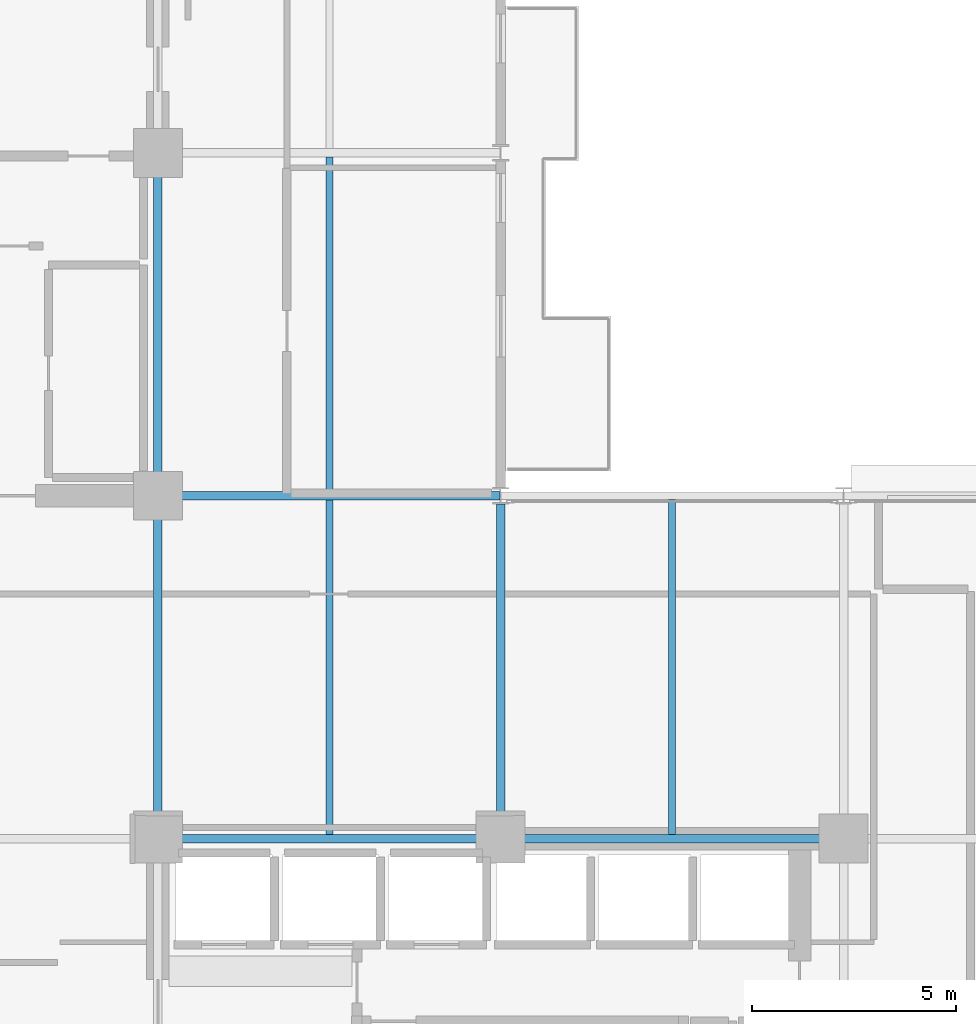
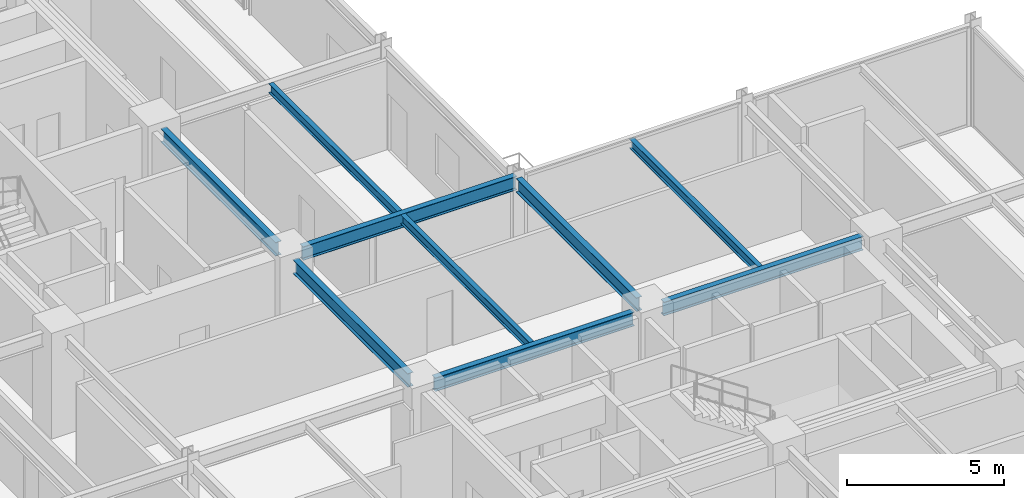
# One storey, part 11 of 30: 9 beams.
"""IFC4 building model written with IfcOpenShell, lengths in metres."""

from ifc_helpers import new_model, si_unit, direction, frame, origin, origin_2d, place, context, subcontext, project, spatial, i_section, extrude, material, material_profile, profile_set, type_object, element, save


model = new_model("IFC4")

# Units and contexts
model_context = context("Model", 3, precision=1e-05, world=origin(), true_north=direction((0.0, 1.0)))
body_context = subcontext(model_context, "Body", "Model", "MODEL_VIEW")
ifc_project = project(units=[si_unit("LENGTHUNIT", "METRE"), si_unit("AREAUNIT", "SQUARE_METRE"), si_unit("VOLUMEUNIT", "CUBIC_METRE"), si_unit("PLANEANGLEUNIT", "RADIAN"), si_unit("MASSUNIT", "GRAM", prefix="KILO")], contexts=[model_context])

# Site, building, storey
site_placement = place(None, origin())
site = spatial("IfcSite", under=ifc_project, at=site_placement, CompositionType="ELEMENT")
building_placement = place(site_placement, origin())
building = spatial("IfcBuilding", under=site, at=building_placement, Name="Nerrivon Quay Data Exchange", CompositionType="ELEMENT")
storey_placement = place(building_placement, frame((0.0, 0.0, 129.5)))
storey = spatial("IfcBuildingStorey", under=building, at=storey_placement, Name="L30", CompositionType="ELEMENT", Elevation=129.5)

# Beams
ifc_material = material(Name="Steel Grade 350", Category="steel")
ifc_material_profile_1 = material_profile(ifc_material, i_section(OverallWidth=0.208984375, OverallDepth=0.532958984375, WebThickness=0.01025390625, FlangeThickness=0.015625, FilletRadius=0.013916015625, at=origin_2d()), Name="530UB92.4")
ifc_profile_set_1 = profile_set([ifc_material_profile_1], Name="Steel Grade 350")
beam_type_1 = type_object("IfcBeamType", Name="BM-G3-530UB92", PredefinedType="BEAM", material=ifc_profile_set_1)
beam_1_placement = place(storey_placement, frame((17.340087890625, 16.800048828125, 3.55859375), z_axis=(1.0, 0.0, 0.0), x_axis=(0.0, 1.0, 0.0)))
element("IfcBeam", 1, at=beam_1_placement, inside=storey, type_object=beam_type_1, Name="L30 EW Girder Y=16.8 (16.8..25.2)", PredefinedType="BEAM", context=body_context, shape_type="SweptSolid", body=[
    extrude(i_section(OverallWidth=0.208984375, OverallDepth=0.532958984375, WebThickness=0.01025390625, FlangeThickness=0.015625, FilletRadius=0.013916015625, at=origin_2d()), origin(), (0.0, 0.0, 1.0), 7.31982421875),
])
beam_2_placement = place(storey_placement, frame((25.739990234375, 16.800048828125, 3.55859375), z_axis=(1.0, 0.0, 0.0), x_axis=(0.0, 1.0, 0.0)))
element("IfcBeam", 2, at=beam_2_placement, inside=storey, type_object=beam_type_1, Name="L30 EW Girder Y=16.8 (25.2..33.6)", PredefinedType="BEAM", context=body_context, shape_type="SweptSolid", body=[
    extrude(i_section(OverallWidth=0.208984375, OverallDepth=0.532958984375, WebThickness=0.01025390625, FlangeThickness=0.015625, FilletRadius=0.013916015625, at=origin_2d()), origin(), (0.0, 0.0, 1.0), 7.320068359375),
])
beam_3_placement = place(storey_placement, frame((17.340087890625, 25.199951171875, 3.55859375), z_axis=(1.0, 0.0, 0.0), x_axis=(0.0, 1.0, 0.0)))
element("IfcBeam", 3, at=beam_3_placement, inside=storey, type_object=beam_type_1, Name="L30 EW Girder Y=25.2 (16.8..25.2)", PredefinedType="BEAM", context=body_context, shape_type="SweptSolid", body=[
    extrude(i_section(OverallWidth=0.208984375, OverallDepth=0.532958984375, WebThickness=0.01025390625, FlangeThickness=0.015625, FilletRadius=0.013916015625, at=origin_2d()), origin(), (0.0, 0.0, 1.0), 7.847412109375),
])
ifc_material_profile_2 = material_profile(ifc_material, i_section(OverallWidth=0.208984375, OverallDepth=0.528076171875, WebThickness=0.009521484375, FlangeThickness=0.01318359375, FilletRadius=0.013916015625, at=origin_2d()), Name="530UB82.0")
ifc_profile_set_2 = profile_set([ifc_material_profile_2], Name="Steel Grade 350")
beam_type_2 = type_object("IfcBeamType", Name="BM-G4-530UB82", PredefinedType="BEAM", material=ifc_profile_set_2)
beam_4_placement = place(storey_placement, frame((16.800048828125, 17.340087890625, 3.56103515625), z_axis=(0.0, 1.0, 0.0), x_axis=(-1.0, 0.0, 0.0)))
element("IfcBeam", 4, at=beam_4_placement, inside=storey, type_object=beam_type_2, Name="L30 NS Girder X=16.8 (16.8..25.2)", PredefinedType="BEAM", context=body_context, shape_type="SweptSolid", body=[
    extrude(i_section(OverallWidth=0.208984375, OverallDepth=0.528076171875, WebThickness=0.009521484375, FlangeThickness=0.01318359375, FilletRadius=0.013916015625, at=origin_2d()), origin(), (0.0, 0.0, 1.0), 7.31982421875),
])
beam_5_placement = place(storey_placement, frame((16.800048828125, 25.739990234375, 3.56103515625), z_axis=(0.0, 1.0, 0.0), x_axis=(-1.0, 0.0, 0.0)))
element("IfcBeam", 5, at=beam_5_placement, inside=storey, type_object=beam_type_2, Name="L30 NS Girder X=16.8 (25.2..33.6)", PredefinedType="BEAM", context=body_context, shape_type="SweptSolid", body=[
    extrude(i_section(OverallWidth=0.208984375, OverallDepth=0.528076171875, WebThickness=0.009521484375, FlangeThickness=0.01318359375, FilletRadius=0.013916015625, at=origin_2d()), origin(), (0.0, 0.0, 1.0), 7.320068359375),
])
beam_6_placement = place(storey_placement, frame((25.199951171875, 17.340087890625, 3.56103515625), z_axis=(0.0, 1.0, 0.0), x_axis=(-1.0, 0.0, 0.0)))
element("IfcBeam", 6, at=beam_6_placement, inside=storey, type_object=beam_type_2, Name="L30 NS Girder X=25.2 (16.8..25.2)", PredefinedType="BEAM", context=body_context, shape_type="SweptSolid", body=[
    extrude(i_section(OverallWidth=0.208984375, OverallDepth=0.528076171875, WebThickness=0.009521484375, FlangeThickness=0.01318359375, FilletRadius=0.013916015625, at=origin_2d()), origin(), (0.0, 0.0, 1.0), 7.659912109375),
])
ifc_material_profile_3 = material_profile(ifc_material, i_section(OverallWidth=0.1708984375, OverallDepth=0.35595703125, WebThickness=0.00732421875, FlangeThickness=0.011474609375, FilletRadius=0.011474609375, at=origin_2d()), Name="360UB50.7")
ifc_profile_set_3 = profile_set([ifc_material_profile_3], Name="Steel Grade 350")
beam_type_3 = type_object("IfcBeamType", Name="BM-J4-360UB51", PredefinedType="JOIST", material=ifc_profile_set_3)
beam_7_placement = place(storey_placement, frame((21.0, 16.904541015625, 3.64697265625), z_axis=(0.0, 1.0, 0.0), x_axis=(-1.0, 0.0, 0.0)))
element("IfcBeam", 7, at=beam_7_placement, inside=storey, type_object=beam_type_3, Name="L30 Secondary Joist X=21.0 (16.8..25.2)", PredefinedType="JOIST", context=body_context, shape_type="SweptSolid", body=[
    extrude(i_section(OverallWidth=0.1708984375, OverallDepth=0.35595703125, WebThickness=0.00732421875, FlangeThickness=0.011474609375, FilletRadius=0.011474609375, at=origin_2d()), origin(), (0.0, 0.0, 1.0), 8.19091796875),
])
beam_8_placement = place(storey_placement, frame((21.0, 25.304443359375, 3.64697265625), z_axis=(0.0, 1.0, 0.0), x_axis=(-1.0, 0.0, 0.0)))
element("IfcBeam", 8, at=beam_8_placement, inside=storey, type_object=beam_type_3, Name="L30 Secondary Joist X=21.0 (25.2..33.6)", PredefinedType="JOIST", context=body_context, shape_type="SweptSolid", body=[
    extrude(i_section(OverallWidth=0.1708984375, OverallDepth=0.35595703125, WebThickness=0.00732421875, FlangeThickness=0.011474609375, FilletRadius=0.011474609375, at=origin_2d()), origin(), (0.0, 0.0, 1.0), 8.191162109375),
])
beam_9_placement = place(storey_placement, frame((29.39990234375, 16.904541015625, 3.64697265625), z_axis=(0.0, 1.0, 0.0), x_axis=(-1.0, 0.0, 0.0)))
element("IfcBeam", 9, at=beam_9_placement, inside=storey, type_object=beam_type_3, Name="L30 Secondary Joist X=29.4 (16.8..25.2)", PredefinedType="JOIST", context=body_context, shape_type="SweptSolid", body=[
    extrude(i_section(OverallWidth=0.1708984375, OverallDepth=0.35595703125, WebThickness=0.00732421875, FlangeThickness=0.011474609375, FilletRadius=0.011474609375, at=origin_2d()), origin(), (0.0, 0.0, 1.0), 8.20654296875),
])

save(model, "model.ifc")
